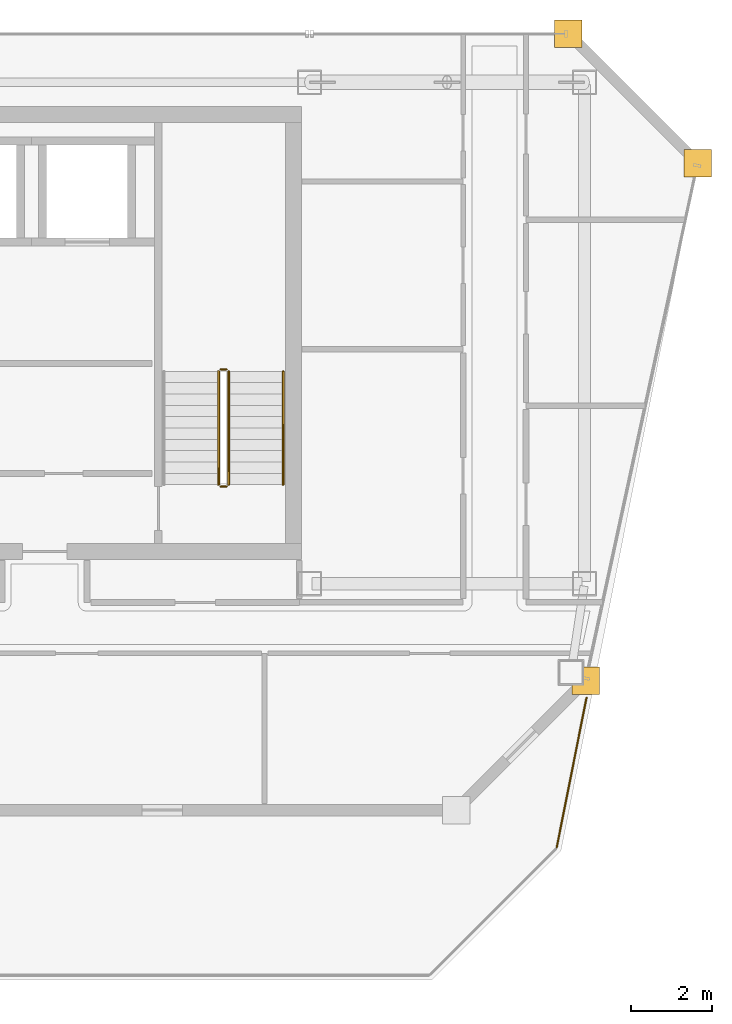
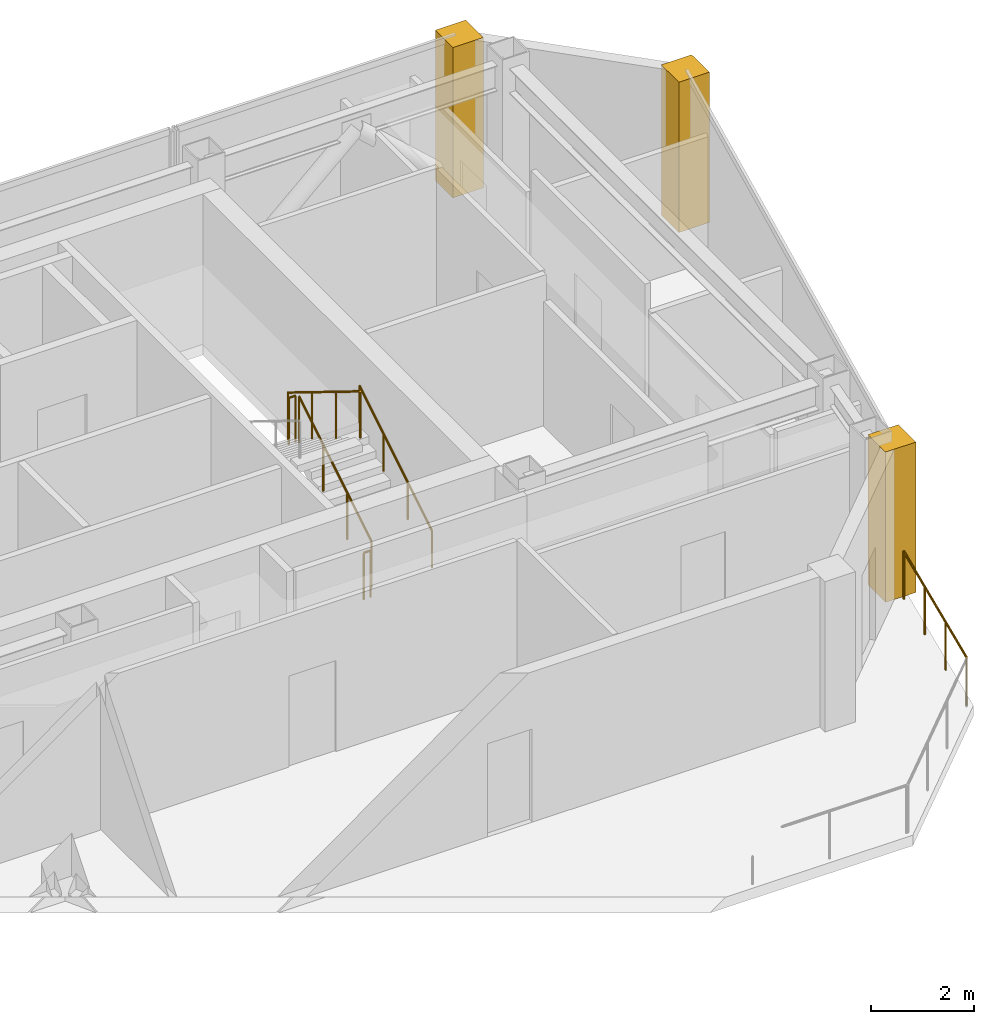
# One storey, part 17 of 17: 6 railings, 3 coverings.
"""IFC4 building model written with IfcOpenShell, lengths in metres."""

import ifcopenshell
import ifcopenshell.guid

model = None  # the IFC model being written
_history = None  # IfcOwnerHistory: only IFC2X3 demands one
_inside = {}  # id of a spatial element -> (the spatial element, [elements in it])
_under = {}  # id of a project, library or spatial element -> (it, [spatial elements below it])
_declared = {}  # id of a project -> (the project, [libraries it declares])
_typed = {}  # id of a type object -> (the type object, [elements of that type])
_made_of = {}  # id of a material, layer set ... -> (it, [elements and type objects made of it])


def new_model(schema):
    """Start an empty IFC model of exactly this schema.

    Asked for "IFC4X3", IfcOpenShell would pick the latest addendum, in which some entities
    have other attributes; the version numbers below select the first issue.
    IFC2X3 requires an IfcOwnerHistory on every rooted entity: one is made here for all.
    """
    global model, _history
    if schema == "IFC4X3":
        model = ifcopenshell.file(schema_version=(4, 3, 0, 0))
    else:
        model = ifcopenshell.file(schema=schema)
    _inside.clear()
    _under.clear()
    _declared.clear()
    _typed.clear()
    _made_of.clear()
    _history = None
    if model.schema == "IFC2X3":
        org = make("IfcOrganization", Name="unknown")
        user = make(
            "IfcPersonAndOrganization",
            ThePerson=make("IfcPerson", FamilyName="unknown"),
            TheOrganization=org,
        )
        app = make(
            "IfcApplication",
            ApplicationDeveloper=org,
            Version="unknown",
            ApplicationFullName="unknown",
            ApplicationIdentifier="unknown",
        )
        _history = make(
            "IfcOwnerHistory",
            OwningUser=user,
            OwningApplication=app,
            ChangeAction="ADDED",
            CreationDate=0,
        )
    return model


def make(cls, **values):
    """One entity of the class cls with the attributes given. An attribute that is None is left unset."""
    return model.create_entity(
        cls, **{name: value for name, value in values.items() if value is not None}
    )


def rooted(cls, **values):
    """An entity with a GlobalId (a new one), such as an element, a storey or a relation."""
    return make(cls, GlobalId=ifcopenshell.guid.new(), OwnerHistory=_history, **values)


def si_unit(unit_type, name, prefix=None):
    """IfcSIUnit, for example si_unit("LENGTHUNIT", "METRE", prefix="MILLI")."""
    return make("IfcSIUnit", UnitType=unit_type, Prefix=prefix, Name=name)


def assignment(units):
    """IfcUnitAssignment: the units of a project."""
    return None if units is None else make("IfcUnitAssignment", Units=units)


def point(xyz):
    """IfcCartesianPoint."""
    return None if xyz is None else make("IfcCartesianPoint", Coordinates=xyz)


def direction(xyz):
    """IfcDirection."""
    return None if xyz is None else make("IfcDirection", DirectionRatios=xyz)


def frame(location, z_axis=None, x_axis=None):
    """IfcAxis2Placement3D, a coordinate frame: its origin and axes. An axis left out is left unset."""
    return make(
        "IfcAxis2Placement3D",
        Location=point(location),
        Axis=direction(z_axis),
        RefDirection=direction(x_axis),
    )


def frame_2d(location, x_axis=None):
    """IfcAxis2Placement2D, a coordinate frame in the plane: its origin and x axis."""
    return make(
        "IfcAxis2Placement2D", Location=point(location), RefDirection=direction(x_axis)
    )


def origin():
    """The frame at (0, 0, 0) with its axes left unset."""
    return frame((0.0, 0.0, 0.0))


def origin_2d():
    """The frame at (0, 0) in the plane with its x axis left unset."""
    return frame_2d((0.0, 0.0))


def place(relative_to, where):
    """IfcLocalPlacement: puts the frame where relative to a parent placement (None: the world)."""
    return make(
        "IfcLocalPlacement", PlacementRelTo=relative_to, RelativePlacement=where
    )


def context(
    kind, dimensions, precision=None, world=None, true_north=None, identifier=None
):
    """IfcGeometricRepresentationContext, for example the 3D "Model" context."""
    return make(
        "IfcGeometricRepresentationContext",
        ContextIdentifier=identifier,
        ContextType=kind,
        CoordinateSpaceDimension=dimensions,
        Precision=precision,
        WorldCoordinateSystem=world,
        TrueNorth=true_north,
    )


def subcontext(parent, identifier, kind, view, scale=None):
    """IfcGeometricRepresentationSubContext, for example "Body" below "Model"."""
    return make(
        "IfcGeometricRepresentationSubContext",
        ContextIdentifier=identifier,
        ContextType=kind,
        ParentContext=parent,
        TargetScale=scale,
        TargetView=view,
    )


def project(units=None, contexts=None):
    """IfcProject with its units and contexts."""
    return rooted(
        "IfcProject",
        Name="project",
        RepresentationContexts=contexts,
        UnitsInContext=assignment(units),
    )


def spatial(cls, under=None, at=None, **own):
    """A site, building, storey or space (cls), placed at a placement, below another one or the project."""
    s = rooted(cls, ObjectPlacement=at, **own)
    if under is not None:
        _under.setdefault(under.id(), (under, []))[1].append(s)
    return s


def polyline(points):
    """IfcPolyline through the points."""
    return make("IfcPolyline", Points=[point(p) for p in points])


def profile(cls, at=None, kind="AREA", **sizes):
    """A parametric profile (cls). Its sizes go by their IFC names, for example OverallWidth=200.0."""
    return make(cls, ProfileType=kind, Position=at, **sizes)


def circle(**sizes):
    """IfcCircleProfileDef."""
    return profile("IfcCircleProfileDef", **sizes)


def outline(outer, holes=None, kind="AREA"):
    """IfcArbitraryClosedProfileDef: a profile drawn as a closed curve; with holes, ...WithVoids."""
    if holes is None:
        return make("IfcArbitraryClosedProfileDef", ProfileType=kind, OuterCurve=outer)
    return make(
        "IfcArbitraryProfileDefWithVoids",
        ProfileType=kind,
        OuterCurve=outer,
        InnerCurves=holes,
    )


def extrude(swept, where, along, depth):
    """IfcExtrudedAreaSolid: the profile swept, set in the frame where, extruded along a direction by depth."""
    return make(
        "IfcExtrudedAreaSolid",
        SweptArea=swept,
        Position=where,
        ExtrudedDirection=direction(along),
        Depth=depth,
    )


def shape(context_of_items, identifier, shape_type, items):
    """IfcShapeRepresentation: the items that make up one representation, for example the "Body"."""
    return make(
        "IfcShapeRepresentation",
        ContextOfItems=context_of_items,
        RepresentationIdentifier=identifier,
        RepresentationType=shape_type,
        Items=items,
    )


def material(Name=None, Category=None):
    """IfcMaterial."""
    return make("IfcMaterial", Name=Name, Category=Category)


def layer(
    of_material, thickness, ventilated=None, Name=None, Category=None, Priority=None
):
    """IfcMaterialLayer: one layer of a wall or slab, of a material (None: an air gap)."""
    return make(
        "IfcMaterialLayer",
        Material=of_material,
        LayerThickness=thickness,
        IsVentilated=ventilated,
        Name=Name,
        Category=Category,
        Priority=Priority,
    )


def layer_set(layers, Name=None):
    """IfcMaterialLayerSet."""
    return make("IfcMaterialLayerSet", MaterialLayers=layers, LayerSetName=Name)


def made_of(thing, what):
    """Note that an element or type object is made of a material, layer set ...; save() writes the relation."""
    if what is not None:
        _made_of.setdefault(what.id(), (what, []))[1].append(thing)
    return thing


def type_object(cls, material=None, **own):
    """A type object (cls), such as IfcWallType, which elements share."""
    return made_of(rooted(cls, **own), material)


def element(
    cls,
    number,
    at=None,
    inside=None,
    cuts=None,
    type_object=None,
    material=None,
    context=None,
    identifier="Body",
    shape_type=None,
    held_by="IfcProductDefinitionShape",
    body=None,
    shapes=None,
    **own,
):
    """One element of the class cls, such as IfcWall. Its Tag is "e" and its number.

    at: its placement. inside: the storey or other place that contains it. cuts: it is an
    opening in that element (IfcRelVoidsElement). A single representation is given by context,
    identifier, shape_type and body (its items); several are given by shapes. held_by: the class
    of the entity that holds the representations. save() writes the other relations.
    """
    e = rooted(cls, Tag="e%d" % number, ObjectPlacement=at, **own)
    if body is not None:
        shapes = [shape(context, identifier, shape_type, body)]
    if shapes is not None:
        e.Representation = make(held_by, Representations=shapes)
    if inside is not None:
        _inside.setdefault(inside.id(), (inside, []))[1].append(e)
    if cuts is not None:
        rooted(
            "IfcRelVoidsElement", RelatingBuildingElement=cuts, RelatedOpeningElement=e
        )
    if type_object is not None:
        _typed.setdefault(type_object.id(), (type_object, []))[1].append(e)
    return made_of(e, material)


def aggregate(whole, parts):
    """IfcRelAggregates: a whole, such as a stair, and the parts it consists of."""
    return rooted("IfcRelAggregates", RelatingObject=whole, RelatedObjects=parts)


def save(model, path):
    """Write the relations noted so far, then the file.

    IfcRelAggregates (storeys below a building ...), IfcRelContainedInSpatialStructure (elements
    in a storey), IfcRelDefinesByType, IfcRelAssociatesMaterial and IfcRelDeclares: one each for
    every whole, place, type object, material and project.
    """
    for whole, parts in _under.values():
        aggregate(whole, parts)
    for where, things in _inside.values():
        rooted(
            "IfcRelContainedInSpatialStructure",
            RelatedElements=things,
            RelatingStructure=where,
        )
    for kind, things in _typed.values():
        rooted("IfcRelDefinesByType", RelatedObjects=things, RelatingType=kind)
    for what, things in _made_of.values():
        rooted("IfcRelAssociatesMaterial", RelatedObjects=things, RelatingMaterial=what)
    for by, libraries in _declared.values():
        rooted("IfcRelDeclares", RelatingContext=by, RelatedDefinitions=libraries)
    model.write(path)


model = new_model("IFC4")

# Units and contexts
model_context = context("Model", 3, precision=1e-05, world=origin(), true_north=direction((0.0, 1.0)))
body_context = subcontext(model_context, "Body", "Model", "MODEL_VIEW")
ifc_project = project(units=[si_unit("LENGTHUNIT", "METRE"), si_unit("AREAUNIT", "SQUARE_METRE"), si_unit("VOLUMEUNIT", "CUBIC_METRE"), si_unit("PLANEANGLEUNIT", "RADIAN"), si_unit("MASSUNIT", "GRAM", prefix="KILO")], contexts=[model_context])

# Site, building, storey
site_placement = place(None, origin())
site = spatial("IfcSite", under=ifc_project, at=site_placement, CompositionType="ELEMENT")
building_placement = place(site_placement, origin())
building = spatial("IfcBuilding", under=site, at=building_placement, Name="Saevonmaru Cultural Tower", CompositionType="ELEMENT")
storey_placement = place(building_placement, frame((0.0, 0.0, 310.39990234375)))
storey = spatial("IfcBuildingStorey", under=building, at=storey_placement, Name="L74", CompositionType="ELEMENT", Elevation=310.39990234375)

# Coverings
ifc_material_1 = material(Name="Satin Bronze Anodised Aluminium", Category="aluminium")
ifc_layer = layer(ifc_material_1, 0.679931640625, Name="Satin Bronze Anodised Aluminium")
ifc_layer_set = layer_set([ifc_layer], Name="Satin Bronze Anodised Aluminium")
covering_type = type_object("IfcCoveringType", Name="CV-CORNER-CLAD", PredefinedType="CLADDING", material=ifc_layer_set)
covering_1_placement = place(storey_placement, origin())
element("IfcCovering", 1, at=covering_1_placement, inside=storey, type_object=covering_type, Name="L74 Tower Bronze Corner Cladding Pier 8", PredefinedType="CLADDING", context=body_context, shape_type="SweptSolid", body=[
    extrude(outline(polyline([(52.886962890625, 39.659912109375), (53.56689453125, 39.659912109375), (53.56689453125, 40.340087890625), (52.886962890625, 40.340087890625), (52.886962890625, 39.659912109375)])), origin(), (0.0, 0.0, 1.0), 3.550048828125),
])
covering_2_placement = place(storey_placement, origin())
element("IfcCovering", 2, at=covering_2_placement, inside=storey, type_object=covering_type, Name="L74 Tower Bronze Corner Cladding Pier 9", PredefinedType="CLADDING", context=body_context, shape_type="SweptSolid", body=[
    extrude(outline(polyline([(55.659912109375, 52.4599609375), (56.340087890625, 52.4599609375), (56.340087890625, 53.139892578125), (55.659912109375, 53.139892578125), (55.659912109375, 52.4599609375)])), origin(), (0.0, 0.0, 1.0), 3.550048828125),
])
covering_3_placement = place(storey_placement, origin())
element("IfcCovering", 3, at=covering_3_placement, inside=storey, type_object=covering_type, Name="L74 Tower Bronze Corner Cladding Pier 10", PredefinedType="CLADDING", context=body_context, shape_type="SweptSolid", body=[
    extrude(outline(polyline([(52.4599609375, 55.659912109375), (53.139892578125, 55.659912109375), (53.139892578125, 56.340087890625), (52.4599609375, 56.340087890625), (52.4599609375, 55.659912109375)])), origin(), (0.0, 0.0, 1.0), 3.550048828125),
])

# Railings
railing_type_1 = type_object("IfcRailingType", Name="RL-BALUSTRADE-1150", PredefinedType="BALUSTRADE", material=ifc_material_1)
railing_1_placement = place(storey_placement, frame((53.25, 39.58349609375, 0.0)))
element("IfcRailing", 4, at=railing_1_placement, inside=storey, type_object=railing_type_1, Name="L74 Setback Terrace Balustrade 1-1", PredefinedType="BALUSTRADE", context=body_context, shape_type="SweptSolid", body=[
    extrude(circle(Radius=0.02392578125, at=origin_2d()), frame((0.0, 0.0, 1.1259765625), z_axis=(-0.195121707573, -0.980779036906, 0.0), x_axis=(0.980779036906, -0.195121707573, 0.0)), (0.0, 0.0, 1.0), 3.77734375),
    extrude(circle(Radius=0.02099609375, at=origin_2d()), origin(), (0.0, 0.0, 1.0), 1.101806640625),
    extrude(circle(Radius=0.02099609375, at=origin_2d()), frame((-0.24560546875, -1.23486328125, 0.0)), (0.0, 0.0, 1.0), 1.101806640625),
    extrude(circle(Radius=0.02099609375, at=origin_2d()), frame((-0.491455078125, -2.469970703125, 0.0)), (0.0, 0.0, 1.0), 1.101806640625),
    extrude(circle(Radius=0.02099609375, at=origin_2d()), frame((-0.737060546875, -3.704833984375, 0.0)), (0.0, 0.0, 1.0), 1.101806640625),
])
ifc_material_2 = material(Name="Architectural Painted Steel", Category="steel")
railing_type_2 = type_object("IfcRailingType", Name="RL-STAIR-GUARD", PredefinedType="GUARDRAIL", material=ifc_material_2)
railing_2_placement = place(storey_placement, frame((44.39990234375, 44.85009765625, 0.1728515625)))
element("IfcRailing", 5, at=railing_2_placement, inside=storey, type_object=railing_type_2, Name="L74 ST-2 stair guard 1", PredefinedType="GUARDRAIL", context=body_context, shape_type="SweptSolid", body=[
    extrude(circle(Radius=0.02392578125, at=origin_2d()), frame((0.0, 0.0, 1.09619140625), z_axis=(0.0, 0.851069175582, 0.525053576669), x_axis=(-1.0, 0.0, 0.0)), (0.0, 0.0, 1.0), 3.289794921875),
    extrude(circle(Radius=0.02099609375, at=origin_2d()), origin(), (0.0, 0.0, 1.0), 1.072021484375),
    extrude(circle(Radius=0.02099609375, at=origin_2d()), frame((0.0, 0.933349609375, 0.57568359375)), (0.0, 0.0, 1.0), 1.072021484375),
    extrude(circle(Radius=0.02099609375, at=origin_2d()), frame((0.0, 1.866455078125, 1.151611328125)), (0.0, 0.0, 1.0), 1.072021484375),
    extrude(circle(Radius=0.02099609375, at=origin_2d()), frame((0.0, 2.7998046875, 1.727294921875)), (0.0, 0.0, 1.0), 1.072021484375),
])
railing_3_placement = place(storey_placement, frame((44.35009765625, 47.699951171875, 1.900146484375)))
element("IfcRailing", 6, at=railing_3_placement, inside=storey, type_object=railing_type_2, Name="L74 ST-2 stair guard 2", PredefinedType="GUARDRAIL", context=body_context, shape_type="SweptSolid", body=[
    extrude(circle(Radius=0.02392578125, at=origin_2d()), frame((0.0, 0.0, 1.09619140625), z_axis=(-1.0, 0.0, 0.0), x_axis=(0.0, -1.0, 0.0)), (0.0, 0.0, 1.0), 0.150146484375),
    extrude(circle(Radius=0.02099609375, at=origin_2d()), origin(), (0.0, 0.0, 1.0), 1.072021484375),
    extrude(circle(Radius=0.02099609375, at=origin_2d()), frame((-0.150146484375, 0.0, 0.0)), (0.0, 0.0, 1.0), 1.072021484375),
])
railing_4_placement = place(storey_placement, frame((44.14990234375, 47.64990234375, 2.07275390625)))
element("IfcRailing", 7, at=railing_4_placement, inside=storey, type_object=railing_type_2, Name="L74 ST-2 stair guard 3", PredefinedType="GUARDRAIL", context=body_context, shape_type="SweptSolid", body=[
    extrude(circle(Radius=0.02392578125, at=origin_2d()), frame((0.0, 0.0, 1.09619140625), z_axis=(0.0, -0.851069175582, 0.525053576669), x_axis=(1.0, 0.0, 0.0)), (0.0, 0.0, 1.0), 3.289794921875),
    extrude(circle(Radius=0.02099609375, at=origin_2d()), origin(), (0.0, 0.0, 1.0), 1.072021484375),
    extrude(circle(Radius=0.02099609375, at=origin_2d()), frame((0.0, -0.933349609375, 0.57568359375)), (0.0, 0.0, 1.0), 1.072021484375),
    extrude(circle(Radius=0.02099609375, at=origin_2d()), frame((0.0, -1.866455078125, 1.151611328125)), (0.0, 0.0, 1.0), 1.072021484375),
    extrude(circle(Radius=0.02099609375, at=origin_2d()), frame((0.0, -2.7998046875, 1.727294921875)), (0.0, 0.0, 1.0), 1.072021484375),
])
railing_5_placement = place(storey_placement, frame((44.35009765625, 44.800048828125, 0.0)))
element("IfcRailing", 8, at=railing_5_placement, inside=storey, type_object=railing_type_2, Name="L74 ST-2 stair guard 4", PredefinedType="GUARDRAIL", context=body_context, shape_type="SweptSolid", body=[
    extrude(circle(Radius=0.02392578125, at=origin_2d()), frame((0.0, 0.0, 1.09619140625), z_axis=(-1.0, 0.0, 0.0), x_axis=(0.0, -1.0, 0.0)), (0.0, 0.0, 1.0), 0.150146484375),
    extrude(circle(Radius=0.02099609375, at=origin_2d()), origin(), (0.0, 0.0, 1.0), 1.072021484375),
    extrude(circle(Radius=0.02099609375, at=origin_2d()), frame((-0.150146484375, 0.0, 0.0)), (0.0, 0.0, 1.0), 1.072021484375),
])
railing_type_3 = type_object("IfcRailingType", Name="RL-STAIR-HANDRAIL", PredefinedType="HANDRAIL", material=ifc_material_1)
railing_6_placement = place(storey_placement, frame((45.75, 44.85009765625, 0.1728515625)))
element("IfcRailing", 9, at=railing_6_placement, inside=storey, type_object=railing_type_3, Name="L74 ST-2 stair handrail 1", PredefinedType="HANDRAIL", context=body_context, shape_type="SweptSolid", body=[
    extrude(circle(Radius=0.02392578125, at=origin_2d()), frame((0.0, 0.0, 0.8759765625), z_axis=(0.0, 0.851069175582, 0.525053576669), x_axis=(-1.0, 0.0, 0.0)), (0.0, 0.0, 1.0), 3.289794921875),
    extrude(circle(Radius=0.02099609375, at=origin_2d()), origin(), (0.0, 0.0, 1.0), 0.851806640625),
    extrude(circle(Radius=0.02099609375, at=origin_2d()), frame((0.0, 0.933349609375, 0.57568359375)), (0.0, 0.0, 1.0), 0.851806640625),
    extrude(circle(Radius=0.02099609375, at=origin_2d()), frame((0.0, 1.866455078125, 1.151611328125)), (0.0, 0.0, 1.0), 0.851806640625),
    extrude(circle(Radius=0.02099609375, at=origin_2d()), frame((0.0, 2.7998046875, 1.727294921875)), (0.0, 0.0, 1.0), 0.851806640625),
])

save(model, "model.ifc")
